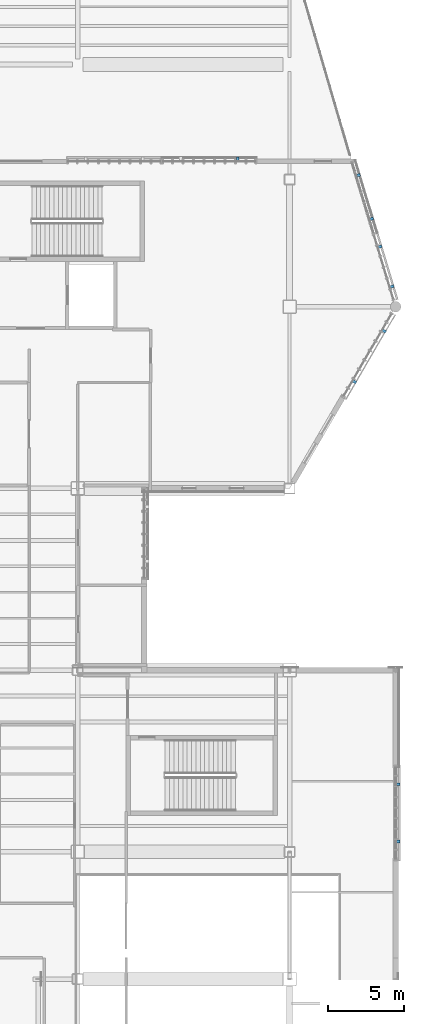
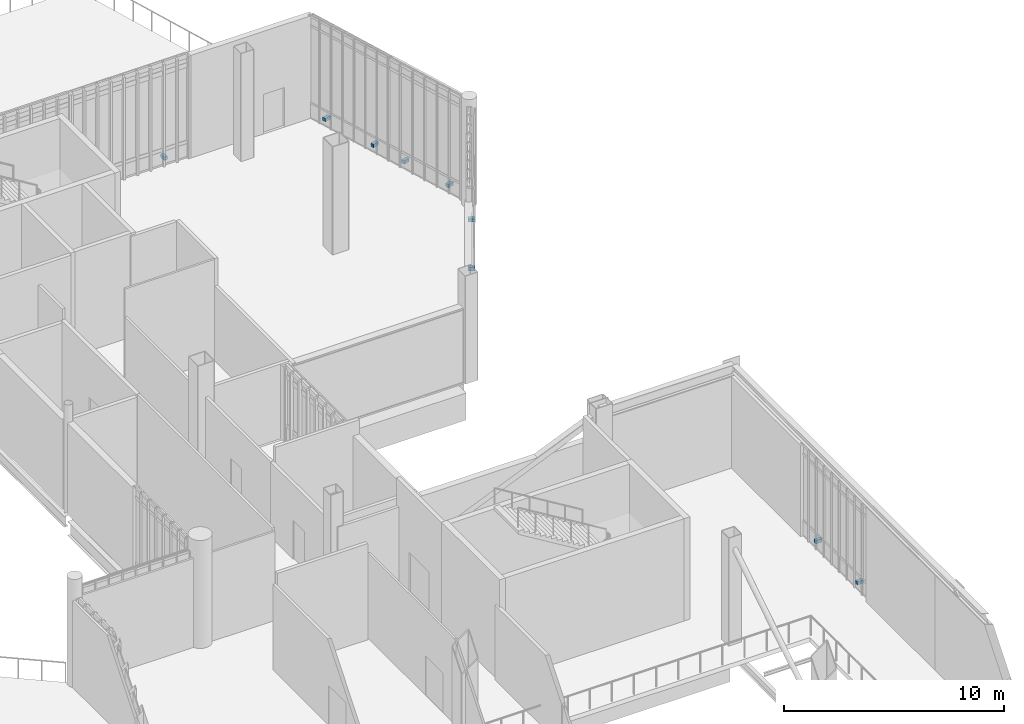
# One storey, part 120 of 135: 9 discrete accessories.
"""IFC4 building model written with IfcOpenShell, lengths in metres."""

from ifc_helpers import new_model, si_unit, direction, frame, origin, origin_2d, place, context, subcontext, project, spatial, rectangle, extrude, material, layer, layer_set, type_object, element, save


model = new_model("IFC4")

# Units and contexts
model_context = context("Model", 3, precision=1e-05, world=origin(), true_north=direction((0.0, 1.0)))
body_context = subcontext(model_context, "Body", "Model", "MODEL_VIEW")
ifc_project = project(units=[si_unit("LENGTHUNIT", "METRE"), si_unit("AREAUNIT", "SQUARE_METRE"), si_unit("VOLUMEUNIT", "CUBIC_METRE"), si_unit("PLANEANGLEUNIT", "RADIAN"), si_unit("MASSUNIT", "GRAM", prefix="KILO")], contexts=[model_context])

# Site, building, storey
site_placement = place(None, origin())
site = spatial("IfcSite", under=ifc_project, at=site_placement, CompositionType="ELEMENT")
building_placement = place(site_placement, origin())
building = spatial("IfcBuilding", under=site, at=building_placement, Name="Larkvane Passage Sports Hall", CompositionType="ELEMENT")
storey_placement = place(building_placement, frame((0.0, 0.0, 10.800048828125)))
storey = spatial("IfcBuildingStorey", under=building, at=storey_placement, Name="L02", CompositionType="ELEMENT", Elevation=10.800048828125)

# Discrete accessories
ifc_material = material(Name="Steel S355JR", Category="steel")
ifc_layer = layer(ifc_material, 0.179931640625)
ifc_layer_set = layer_set([ifc_layer], Name="Steel S355JR")
discrete_accessory_type = type_object("IfcDiscreteAccessoryType", Name="ACC-BRACKET-STL", PredefinedType="BRACKET", material=ifc_layer_set)
for number, where, z_axis, x_axis, name in (
    (1, (142.169921875, 85.320068359375, 0.259765625), (0.0, 0.0, 1.0), (1.0, 0.0, 0.0), "Veil outrigger bracket L02-046-2"),
    (2, (150.10498046875, 84.274658203125, 0.259765625), (0.0, 0.0, 1.0), (0.289177016584, -0.957275641119, 0.0), "Veil outrigger bracket L02-047-1"),
    (3, (150.974853515625, 81.394775390625, 0.259765625), (0.0, 0.0, 1.0), (0.289177016584, -0.957275641119, 0.0), "Veil outrigger bracket L02-047-2"),
    (4, (151.52978515625, 79.557373046875, 0.259765625), (0.0, 0.0, 1.0), (0.289177016584, -0.957275641119, 0.0), "Veil outrigger bracket L02-048-1"),
    (5, (152.324951171875, 76.92578125, 0.259765625), (0.0, 0.0, 1.0), (0.289177016584, -0.957275641119, 0.0), "Veil outrigger bracket L02-048-2"),
    (6, (151.812255859375, 74.011474609375, 0.259765625), (0.0, 0.0, 1.0), (-0.503871025531, -0.863778900894, 0.0), "Veil outrigger bracket L02-049-1"),
    (7, (149.855712890625, 70.657470703125, 0.259765625), (0.0, 0.0, 1.0), (-0.503871025531, -0.863778900894, 0.0), "Veil outrigger bracket L02-049-2"),
    (8, (152.719970703125, 44.05712890625, 0.259765625), (0.0, 0.0, 1.0), (0.0, -1.0, 0.0), "Veil outrigger bracket L02-051-1"),
    (9, (152.719970703125, 40.28564453125, 0.259765625), (0.0, 0.0, 1.0), (0.0, -1.0, 0.0), "Veil outrigger bracket L02-051-2"),
):
    element("IfcDiscreteAccessory", number, at=place(storey_placement, frame(where, z_axis=z_axis, x_axis=x_axis)), inside=storey, type_object=discrete_accessory_type, Name=name, PredefinedType="BRACKET", context=body_context, shape_type="SweptSolid", body=[
        extrude(rectangle(XDim=0.179931640625, YDim=0.320068359375, at=origin_2d()), origin(), (0.0, 0.0, 1.0), 0.179931640625),
    ])

save(model, "model.ifc")
